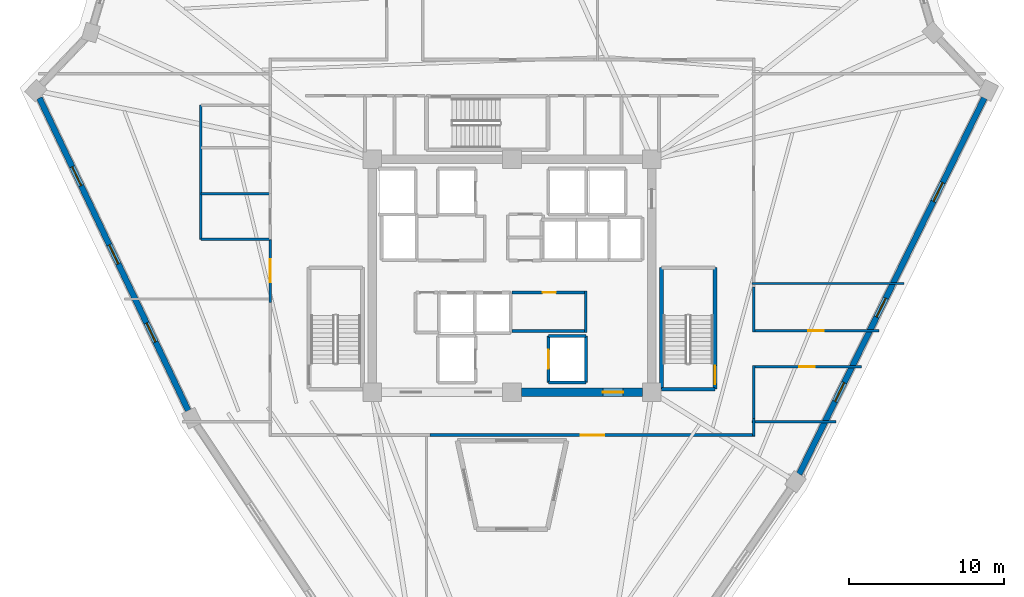
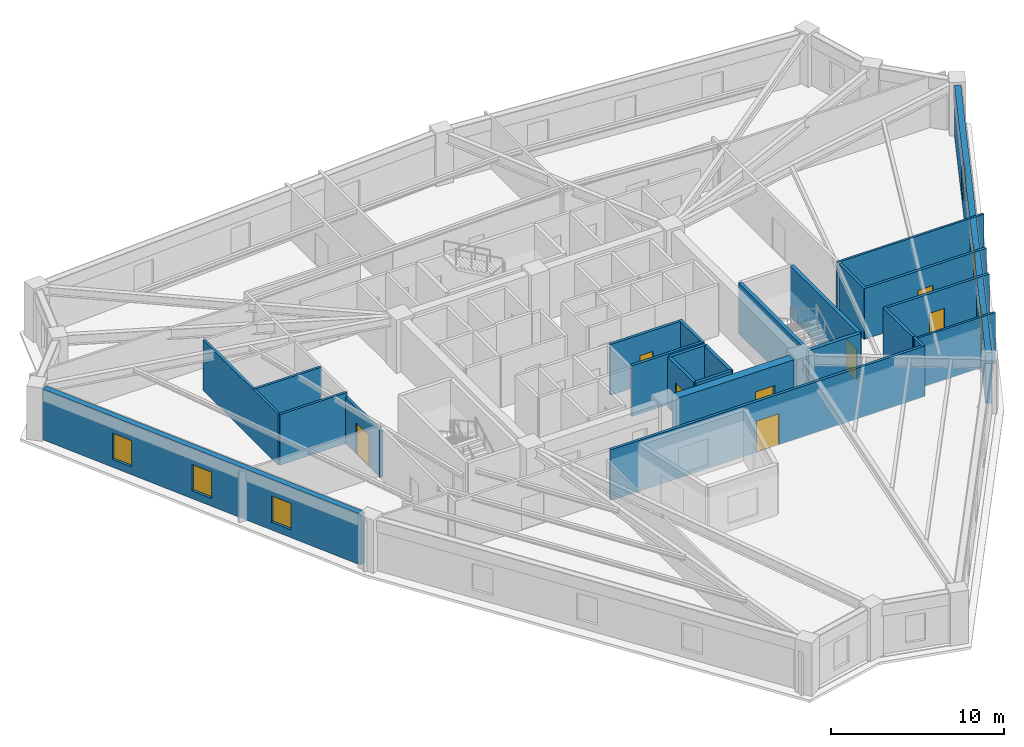
# One storey, part 4 of 10: 25 walls, 8 doors, 6 windows, 14 openings.
"""IFC4 building model written with IfcOpenShell, lengths in metres."""

from ifc_helpers import new_model, si_unit, direction, frame, frame_2d, origin, place, context, subcontext, project, spatial, rectangle, extrude, source, transform, mapped, material, layer, layer_set, type_object, element, fill, save


model = new_model("IFC4")

# Units and contexts
model_context = context("Model", 3, precision=1e-05, world=origin(), true_north=direction((0.0, 1.0)))
body_context = subcontext(model_context, "Body", "Model", "MODEL_VIEW")
ifc_project = project(units=[si_unit("LENGTHUNIT", "METRE"), si_unit("AREAUNIT", "SQUARE_METRE"), si_unit("VOLUMEUNIT", "CUBIC_METRE"), si_unit("PLANEANGLEUNIT", "RADIAN"), si_unit("MASSUNIT", "GRAM", prefix="KILO")], contexts=[model_context])

# Site, building, storey
site_placement = place(None, origin())
site = spatial("IfcSite", under=ifc_project, at=site_placement, CompositionType="ELEMENT")
building_placement = place(site_placement, origin())
building = spatial("IfcBuilding", under=site, at=building_placement, Name="Liaohun Quay Tower", CompositionType="ELEMENT")
storey_placement = place(building_placement, frame((0.0, 0.0, 286.5)))
storey = spatial("IfcBuildingStorey", under=building, at=storey_placement, Name="L74", CompositionType="ELEMENT", Elevation=286.5)

# Wall, opening, door
ifc_material_1 = material(Name="Concrete C50", Category="concrete")
ifc_layer_1 = layer(ifc_material_1, 0.550048828125, Name="Concrete C50", Category="concrete")
ifc_layer_set_1 = layer_set([ifc_layer_1], Name="Concrete C50")
wall_type_1 = type_object("IfcWallType", Name="WAL-COR-Z4", PredefinedType="SHEAR", material=ifc_layer_set_1)
wall_1_placement = place(storey_placement, frame((68.39990234375, 46.5, 0.0), z_axis=(0.0, 0.0, 1.0), x_axis=(-1.0, 0.0, 0.0)))
wall_1 = element("IfcWall", 1, at=wall_1_placement, inside=storey, type_object=wall_type_1, Name="L74 Central Core Shear Wall S-E", PredefinedType="SHEAR", context=body_context, shape_type="SweptSolid", body=[
    extrude(rectangle(XDim=7.7998046875, YDim=0.550048828125, at=frame_2d((3.89990234375, 0.0))), origin(), (0.0, 0.0, 1.0), 3.570068359375),
])
shared_shape_1 = source(origin(), body_context, "Body", "SweptSolid", [
    extrude(rectangle(XDim=1.300048828125, YDim=2.199951171875, at=frame_2d((0.64990234375, 1.10009765625))), frame((0.0, 0.284912109375, 0.0), z_axis=(0.0, -1.0, 0.0), x_axis=(1.0, 0.0, 0.0)), (0.0, 0.0, 1.0), 0.570068359375),
])
opening_1_placement = place(wall_1_placement, frame((1.25, 0.0, 0.0)))
opening_1 = element("IfcOpeningElement", 2, at=opening_1_placement, cuts=wall_1, Name="Opening FD1", PredefinedType="OPENING", context=body_context, shape_type="MappedRepresentation", body=[
    mapped(shared_shape_1, transform((0.0, 0.0, 0.0), x_axis=(1.0, 0.0, 0.0), y_axis=(0.0, 1.0, 0.0), z_axis=(0.0, 0.0, 1.0), scale=1.0)),
])
ifc_material_2 = material(Name="Galvanised steel smokeproof fire door", Category="steel")
door_type_1 = type_object("IfcDoorType", Name="DOR-FFL-1300", OperationType="NOTDEFINED", PredefinedType="DOOR", material=ifc_material_2)
shared_shape_2 = source(origin(), body_context, "Body", "SweptSolid", [
    extrude(rectangle(XDim=1.300048828125, YDim=2.199951171875, at=frame_2d((0.64990234375, 1.10009765625))), frame((0.0, 0.02490234375, 0.0), z_axis=(0.0, -1.0, 0.0), x_axis=(1.0, 0.0, 0.0)), (0.0, 0.0, 1.0), 0.050048828125),
])
door_1_placement = place(opening_1_placement, origin())
door_1 = element("IfcDoor", 3, at=door_1_placement, inside=storey, type_object=door_type_1, Name="L74 East Core Lift Lobby Smokeproof Door", OperationType="SINGLE_SWING_LEFT", OverallHeight=2.199951171875, OverallWidth=1.300048828125, PredefinedType="DOOR", context=body_context, shape_type="MappedRepresentation", body=[
    mapped(shared_shape_2, transform((0.0, 0.0, 0.0), x_axis=(1.0, 0.0, 0.0), y_axis=(0.0, 1.0, 0.0), z_axis=(0.0, 0.0, 1.0), scale=1.0)),
])
fill(opening_1, door_1)

# Wall, openings, windows
ifc_material_3 = material(Name="Precast concrete C50 insulated sandwich", Category="concrete")
ifc_layer_2 = layer(ifc_material_3, 0.3798828125, Name="Precast concrete C50 insulated sandwich", Category="concrete")
ifc_layer_set_2 = layer_set([ifc_layer_2], Name="Precast concrete C50 insulated sandwich")
wall_type_2 = type_object("IfcWallType", Name="WAL-EXT-Z34", PredefinedType="SOLIDWALL", material=ifc_layer_set_2)
wall_2_placement = place(storey_placement, frame((78.47998046875, 41.22607421875, 0.0), z_axis=(0.0, 0.0, 1.0), x_axis=(0.441646832519, 0.89718898529, 0.0)))
wall_2 = element("IfcWall", 4, at=wall_2_placement, inside=storey, type_object=wall_type_2, Name="L74 Brutalist Precast Pier Wall 03", PredefinedType="SOLIDWALL", context=body_context, shape_type="SweptSolid", body=[
    extrude(rectangle(XDim=26.987548828125, YDim=0.3798828125, at=frame_2d((13.49365234375, 0.0))), origin(), (0.0, 0.0, 1.0), 3.570068359375),
])
shared_shape_3 = source(origin(), body_context, "Body", "SweptSolid", [
    extrude(rectangle(XDim=1.35009765625, YDim=1.85009765625, at=frame_2d((0.675048828125, 0.925048828125))), frame((0.0, 0.199951171875, 0.0), z_axis=(0.0, -1.0, 0.0), x_axis=(1.0, 0.0, 0.0)), (0.0, 0.0, 1.0), 0.39990234375),
])
opening_2_placement = place(wall_2_placement, frame((5.221923828125, 0.0, 0.550048828125)))
opening_2 = element("IfcOpeningElement", 5, at=opening_2_placement, cuts=wall_2, Name="Opening W04", PredefinedType="OPENING", context=body_context, shape_type="MappedRepresentation", body=[
    mapped(shared_shape_3, transform((0.0, 0.0, 0.0), x_axis=(1.0, 0.0, 0.0), y_axis=(0.0, 1.0, 0.0), z_axis=(0.0, 0.0, 1.0), scale=1.0)),
])
opening_3_placement = place(wall_2_placement, frame((11.26904296875, 0.0, 0.550048828125)))
opening_3 = element("IfcOpeningElement", 6, at=opening_3_placement, cuts=wall_2, Name="Opening W04", PredefinedType="OPENING", context=body_context, shape_type="MappedRepresentation", body=[
    mapped(shared_shape_3, transform((0.0, 0.0, 0.0), x_axis=(1.0, 0.0, 0.0), y_axis=(0.0, 1.0, 0.0), z_axis=(0.0, 0.0, 1.0), scale=1.0)),
])
opening_4_placement = place(wall_2_placement, frame((19.56591796875, 0.0, 0.550048828125)))
opening_4 = element("IfcOpeningElement", 7, at=opening_4_placement, cuts=wall_2, Name="Opening W04", PredefinedType="OPENING", context=body_context, shape_type="MappedRepresentation", body=[
    mapped(shared_shape_3, transform((0.0, 0.0, 0.0), x_axis=(1.0, 0.0, 0.0), y_axis=(0.0, 1.0, 0.0), z_axis=(0.0, 0.0, 1.0), scale=1.0)),
])
ifc_material_4 = material(Name="Triple Low-E argon glazing in thermally broken aluminium", Category="aluminium")
window_type = type_object("IfcWindowType", Name="WIN-PUN-Z4", PartitioningType="SINGLE_PANEL", PredefinedType="WINDOW", material=ifc_material_4)
shared_shape_4 = source(origin(), body_context, "Body", "SweptSolid", [
    extrude(rectangle(XDim=1.35009765625, YDim=1.85009765625, at=frame_2d((0.675048828125, 0.925048828125))), frame((0.0, 0.030029296875, 0.0), z_axis=(0.0, -1.0, 0.0), x_axis=(1.0, 0.0, 0.0)), (0.0, 0.0, 1.0), 0.06005859375),
])
window_1_placement = place(opening_2_placement, origin())
window_1 = element("IfcWindow", 8, at=window_1_placement, inside=storey, type_object=window_type, Name="L74 Recessed Cold-Climate Punched Window 03-1", OverallHeight=1.85009765625, OverallWidth=1.35009765625, PartitioningType="SINGLE_PANEL", PredefinedType="WINDOW", context=body_context, shape_type="MappedRepresentation", body=[
    mapped(shared_shape_4, transform((0.0, 0.0, 0.0), x_axis=(1.0, 0.0, 0.0), y_axis=(0.0, 1.0, 0.0), z_axis=(0.0, 0.0, 1.0), scale=1.0)),
])
fill(opening_2, window_1)
window_2_placement = place(opening_3_placement, origin())
window_2 = element("IfcWindow", 9, at=window_2_placement, inside=storey, type_object=window_type, Name="L74 Recessed Cold-Climate Punched Window 03-2", OverallHeight=1.85009765625, OverallWidth=1.35009765625, PartitioningType="SINGLE_PANEL", PredefinedType="WINDOW", context=body_context, shape_type="MappedRepresentation", body=[
    mapped(shared_shape_4, transform((0.0, 0.0, 0.0), x_axis=(1.0, 0.0, 0.0), y_axis=(0.0, 1.0, 0.0), z_axis=(0.0, 0.0, 1.0), scale=1.0)),
])
fill(opening_3, window_2)
window_3_placement = place(opening_4_placement, origin())
window_3 = element("IfcWindow", 10, at=window_3_placement, inside=storey, type_object=window_type, Name="L74 Recessed Cold-Climate Punched Window 03-3", OverallHeight=1.85009765625, OverallWidth=1.35009765625, PartitioningType="SINGLE_PANEL", PredefinedType="WINDOW", context=body_context, shape_type="MappedRepresentation", body=[
    mapped(shared_shape_4, transform((0.0, 0.0, 0.0), x_axis=(1.0, 0.0, 0.0), y_axis=(0.0, 1.0, 0.0), z_axis=(0.0, 0.0, 1.0), scale=1.0)),
])
fill(opening_4, window_3)

wall_3_placement = place(storey_placement, frame((29.590087890625, 65.428955078125, 0.0), z_axis=(0.0, 0.0, 1.0), x_axis=(0.429890605998, -0.902880981567, 0.0)))
wall_3 = element("IfcWall", 11, at=wall_3_placement, inside=storey, type_object=wall_type_2, Name="L74 Brutalist Precast Pier Wall 10", PredefinedType="SOLIDWALL", context=body_context, shape_type="SweptSolid", body=[
    extrude(rectangle(XDim=22.27294921875, YDim=0.3798828125, at=frame_2d((11.136474609375, 0.0))), origin(), (0.0, 0.0, 1.0), 3.570068359375),
])
opening_5_placement = place(wall_3_placement, frame((4.89306640625, 0.0, 0.550048828125)))
opening_5 = element("IfcOpeningElement", 12, at=opening_5_placement, cuts=wall_3, Name="Opening W04", PredefinedType="OPENING", context=body_context, shape_type="MappedRepresentation", body=[
    mapped(shared_shape_3, transform((0.0, 0.0, 0.0), x_axis=(1.0, 0.0, 0.0), y_axis=(0.0, 1.0, 0.0), z_axis=(0.0, 0.0, 1.0), scale=1.0)),
])
opening_6_placement = place(wall_3_placement, frame((10.4619140625, 0.0, 0.550048828125)))
opening_6 = element("IfcOpeningElement", 13, at=opening_6_placement, cuts=wall_3, Name="Opening W04", PredefinedType="OPENING", context=body_context, shape_type="MappedRepresentation", body=[
    mapped(shared_shape_3, transform((0.0, 0.0, 0.0), x_axis=(1.0, 0.0, 0.0), y_axis=(0.0, 1.0, 0.0), z_axis=(0.0, 0.0, 1.0), scale=1.0)),
])
opening_7_placement = place(wall_3_placement, frame((16.030029296875, 0.0, 0.550048828125)))
opening_7 = element("IfcOpeningElement", 14, at=opening_7_placement, cuts=wall_3, Name="Opening W04", PredefinedType="OPENING", context=body_context, shape_type="MappedRepresentation", body=[
    mapped(shared_shape_3, transform((0.0, 0.0, 0.0), x_axis=(1.0, 0.0, 0.0), y_axis=(0.0, 1.0, 0.0), z_axis=(0.0, 0.0, 1.0), scale=1.0)),
])
window_4_placement = place(opening_5_placement, origin())
window_4 = element("IfcWindow", 15, at=window_4_placement, inside=storey, type_object=window_type, Name="L74 Recessed Cold-Climate Punched Window 10-1", OverallHeight=1.85009765625, OverallWidth=1.35009765625, PartitioningType="SINGLE_PANEL", PredefinedType="WINDOW", context=body_context, shape_type="MappedRepresentation", body=[
    mapped(shared_shape_4, transform((0.0, 0.0, 0.0), x_axis=(1.0, 0.0, 0.0), y_axis=(0.0, 1.0, 0.0), z_axis=(0.0, 0.0, 1.0), scale=1.0)),
])
fill(opening_5, window_4)
window_5_placement = place(opening_6_placement, origin())
window_5 = element("IfcWindow", 16, at=window_5_placement, inside=storey, type_object=window_type, Name="L74 Recessed Cold-Climate Punched Window 10-2", OverallHeight=1.85009765625, OverallWidth=1.35009765625, PartitioningType="SINGLE_PANEL", PredefinedType="WINDOW", context=body_context, shape_type="MappedRepresentation", body=[
    mapped(shared_shape_4, transform((0.0, 0.0, 0.0), x_axis=(1.0, 0.0, 0.0), y_axis=(0.0, 1.0, 0.0), z_axis=(0.0, 0.0, 1.0), scale=1.0)),
])
fill(opening_6, window_5)
window_6_placement = place(opening_7_placement, origin())
window_6 = element("IfcWindow", 17, at=window_6_placement, inside=storey, type_object=window_type, Name="L74 Recessed Cold-Climate Punched Window 10-3", OverallHeight=1.85009765625, OverallWidth=1.35009765625, PartitioningType="SINGLE_PANEL", PredefinedType="WINDOW", context=body_context, shape_type="MappedRepresentation", body=[
    mapped(shared_shape_4, transform((0.0, 0.0, 0.0), x_axis=(1.0, 0.0, 0.0), y_axis=(0.0, 1.0, 0.0), z_axis=(0.0, 0.0, 1.0), scale=1.0)),
])
fill(opening_7, window_6)

# Wall, opening, door
ifc_material_5 = material(Name="Autoclaved aerated concrete blockwork", Category="masonry")
ifc_layer_3 = layer(ifc_material_5, 0.179931640625, Name="Autoclaved aerated concrete blockwork", Category="masonry")
ifc_layer_set_3 = layer_set([ifc_layer_3], Name="Autoclaved aerated concrete blockwork")
wall_type_3 = type_object("IfcWallType", Name="WAL-PRT-COR", PredefinedType="PARTITIONING", material=ifc_layer_set_3)
wall_4_placement = place(storey_placement, frame((60.0, 52.919921875, 0.0), z_axis=(0.0, 0.0, 1.0), x_axis=(1.0, 0.0, 0.0)))
wall_4 = element("IfcWall", 18, at=wall_4_placement, inside=storey, type_object=wall_type_3, Name="L74 Interior Partition Wall 001", PredefinedType="PARTITIONING", context=body_context, shape_type="SweptSolid", body=[
    extrude(rectangle(XDim=4.659912109375, YDim=0.179931640625, at=frame_2d((2.330078125, 0.0))), origin(), (0.0, 0.0, 1.0), 3.570068359375),
])
shared_shape_5 = source(origin(), body_context, "Body", "SweptSolid", [
    extrude(rectangle(XDim=0.85009765625, YDim=2.10009765625, at=frame_2d((0.425048828125, 1.050048828125))), frame((0.0, 0.099853515625, 0.0), z_axis=(0.0, -1.0, 0.0), x_axis=(1.0, 0.0, 0.0)), (0.0, 0.0, 1.0), 0.199951171875),
])
opening_8_placement = place(wall_4_placement, frame((1.97509765625, 0.0, 0.0)))
opening_8 = element("IfcOpeningElement", 19, at=opening_8_placement, cuts=wall_4, Name="Opening AD1", PredefinedType="OPENING", context=body_context, shape_type="MappedRepresentation", body=[
    mapped(shared_shape_5, transform((0.0, 0.0, 0.0), x_axis=(1.0, 0.0, 0.0), y_axis=(0.0, 1.0, 0.0), z_axis=(0.0, 0.0, 1.0), scale=1.0)),
])
ifc_material_6 = material(Name="Steel riser inspection fire door", Category="steel")
door_type_2 = type_object("IfcDoorType", Name="DOR-SHF-850", OperationType="NOTDEFINED", PredefinedType="DOOR", material=ifc_material_6)
shared_shape_6 = source(origin(), body_context, "Body", "SweptSolid", [
    extrude(rectangle(XDim=0.85009765625, YDim=2.10009765625, at=frame_2d((0.425048828125, 1.050048828125))), frame((0.0, 0.02490234375, 0.0), z_axis=(0.0, -1.0, 0.0), x_axis=(1.0, 0.0, 0.0)), (0.0, 0.0, 1.0), 0.050048828125),
])
door_2_placement = place(opening_8_placement, origin())
door_2 = element("IfcDoor", 20, at=door_2_placement, inside=storey, type_object=door_type_2, Name="L74 Core High-Zone BMS and Switch Room Door", OperationType="SINGLE_SWING_RIGHT", OverallHeight=2.10009765625, OverallWidth=0.85009765625, PredefinedType="DOOR", context=body_context, shape_type="MappedRepresentation", body=[
    mapped(shared_shape_6, transform((0.0, 0.0, 0.0), x_axis=(1.0, 0.0, 0.0), y_axis=(0.0, 1.0, 0.0), z_axis=(0.0, 0.0, 1.0), scale=1.0)),
])
fill(opening_8, door_2)

wall_5_placement = place(storey_placement, frame((44.43994140625, 52.284912109375, 0.0), z_axis=(0.0, 0.0, 1.0), x_axis=(0.0, 1.0, 0.0)))
wall_5 = element("IfcWall", 21, at=wall_5_placement, inside=storey, type_object=wall_type_3, Name="L74 Interior Partition Wall 020", PredefinedType="PARTITIONING", context=body_context, shape_type="SweptSolid", body=[
    extrude(rectangle(XDim=4.05517578125, YDim=0.179931640625, at=frame_2d((2.027587890625, 0.0))), origin(), (0.0, 0.0, 1.0), 3.260986328125),
])
shared_shape_7 = source(origin(), body_context, "Body", "SweptSolid", [
    extrude(rectangle(XDim=1.5, YDim=2.199951171875, at=frame_2d((0.75, 1.10009765625))), frame((0.0, 0.099853515625, 0.0), z_axis=(0.0, -1.0, 0.0), x_axis=(1.0, 0.0, 0.0)), (0.0, 0.0, 1.0), 0.199951171875),
])
opening_9_placement = place(wall_5_placement, frame((1.278076171875, 0.0, 0.0)))
opening_9 = element("IfcOpeningElement", 22, at=opening_9_placement, cuts=wall_5, Name="Opening OD2", PredefinedType="OPENING", context=body_context, shape_type="MappedRepresentation", body=[
    mapped(shared_shape_7, transform((0.0, 0.0, 0.0), x_axis=(1.0, 0.0, 0.0), y_axis=(0.0, 1.0, 0.0), z_axis=(0.0, 0.0, 1.0), scale=1.0)),
])
ifc_material_7 = material(Name="Acoustic oak veneer double door")
door_type_3 = type_object("IfcDoorType", Name="DOR-OFF-1500", OperationType="DOUBLE_DOOR_SINGLE_SWING", PredefinedType="DOOR", material=ifc_material_7)
shared_shape_8 = source(origin(), body_context, "Body", "SweptSolid", [
    extrude(rectangle(XDim=1.5, YDim=2.199951171875, at=frame_2d((0.75, 1.10009765625))), frame((0.0, 0.02490234375, 0.0), z_axis=(0.0, -1.0, 0.0), x_axis=(1.0, 0.0, 0.0)), (0.0, 0.0, 1.0), 0.050048828125),
])
door_3_placement = place(opening_9_placement, origin())
door_3 = element("IfcDoor", 23, at=door_3_placement, inside=storey, type_object=door_type_3, Name="L74 Occupational Wellness Clinic 05 Door", OperationType="DOUBLE_DOOR_SINGLE_SWING", OverallHeight=2.199951171875, OverallWidth=1.5, PredefinedType="DOOR", context=body_context, shape_type="MappedRepresentation", body=[
    mapped(shared_shape_8, transform((0.0, 0.0, 0.0), x_axis=(1.0, 0.0, 0.0), y_axis=(0.0, 1.0, 0.0), z_axis=(0.0, 0.0, 1.0), scale=1.0)),
])
fill(opening_9, door_3)

wall_6_placement = place(storey_placement, frame((75.6298828125, 43.739990234375, 0.0), z_axis=(0.0, 0.0, 1.0), x_axis=(-1.0, 0.0, 0.0)))
wall_6 = element("IfcWall", 24, at=wall_6_placement, inside=storey, type_object=wall_type_3, Name="L74 Interior Partition Wall 023", PredefinedType="PARTITIONING", context=body_context, shape_type="SweptSolid", body=[
    extrude(rectangle(XDim=20.914794921875, YDim=0.179931640625, at=frame_2d((10.45751953125, 0.0))), origin(), (0.0, 0.0, 1.0), 3.570068359375),
])
opening_10_placement = place(wall_6_placement, frame((9.70703125, 0.0, 0.0)))
opening_10 = element("IfcOpeningElement", 25, at=opening_10_placement, cuts=wall_6, Name="Opening OD2", PredefinedType="OPENING", context=body_context, shape_type="MappedRepresentation", body=[
    mapped(shared_shape_7, transform((0.0, 0.0, 0.0), x_axis=(1.0, 0.0, 0.0), y_axis=(0.0, 1.0, 0.0), z_axis=(0.0, 0.0, 1.0), scale=1.0)),
])
door_4_placement = place(opening_10_placement, origin())
door_4 = element("IfcDoor", 26, at=door_4_placement, inside=storey, type_object=door_type_3, Name="L74 Occupational Wellness Clinic 08 Door", OperationType="DOUBLE_DOOR_SINGLE_SWING", OverallHeight=2.199951171875, OverallWidth=1.5, PredefinedType="DOOR", context=body_context, shape_type="MappedRepresentation", body=[
    mapped(shared_shape_8, transform((0.0, 0.0, 0.0), x_axis=(1.0, 0.0, 0.0), y_axis=(0.0, 1.0, 0.0), z_axis=(0.0, 0.0, 1.0), scale=1.0)),
])
fill(opening_10, door_4)

wall_7_placement = place(storey_placement, frame((82.47705078125, 48.139892578125, 0.0), z_axis=(0.0, 0.0, 1.0), x_axis=(-1.0, 0.0, 0.0)))
wall_7 = element("IfcWall", 27, at=wall_7_placement, inside=storey, type_object=wall_type_3, Name="L74 Interior Partition Wall 024", PredefinedType="PARTITIONING", context=body_context, shape_type="SweptSolid", body=[
    extrude(rectangle(XDim=6.987060546875, YDim=0.179931640625, at=frame_2d((3.49365234375, 0.0))), origin(), (0.0, 0.0, 1.0), 3.570068359375),
])
shared_shape_9 = source(origin(), body_context, "Body", "SweptSolid", [
    extrude(rectangle(XDim=1.0, YDim=2.199951171875, at=frame_2d((0.5, 1.10009765625))), frame((0.0, 0.099853515625, 0.0), z_axis=(0.0, -1.0, 0.0), x_axis=(1.0, 0.0, 0.0)), (0.0, 0.0, 1.0), 0.199951171875),
])
opening_11_placement = place(wall_7_placement, frame((2.993896484375, 0.0, 0.0)))
opening_11 = element("IfcOpeningElement", 28, at=opening_11_placement, cuts=wall_7, Name="Opening OD1", PredefinedType="OPENING", context=body_context, shape_type="MappedRepresentation", body=[
    mapped(shared_shape_9, transform((0.0, 0.0, 0.0), x_axis=(1.0, 0.0, 0.0), y_axis=(0.0, 1.0, 0.0), z_axis=(0.0, 0.0, 1.0), scale=1.0)),
])
ifc_material_8 = material(Name="Solid-core oak veneer timber leaf in steel frame", Category="steel")
door_type_4 = type_object("IfcDoorType", Name="DOR-OFF-1000", OperationType="NOTDEFINED", PredefinedType="DOOR", material=ifc_material_8)
shared_shape_10 = source(origin(), body_context, "Body", "SweptSolid", [
    extrude(rectangle(XDim=1.0, YDim=2.199951171875, at=frame_2d((0.5, 1.10009765625))), frame((0.0, 0.02490234375, 0.0), z_axis=(0.0, -1.0, 0.0), x_axis=(1.0, 0.0, 0.0)), (0.0, 0.0, 1.0), 0.050048828125),
])
door_5_placement = place(opening_11_placement, origin())
door_5 = element("IfcDoor", 29, at=door_5_placement, inside=storey, type_object=door_type_4, Name="L74 Records Archive Store 09 Door", OperationType="SINGLE_SWING_LEFT", OverallHeight=2.199951171875, OverallWidth=1.0, PredefinedType="DOOR", context=body_context, shape_type="MappedRepresentation", body=[
    mapped(shared_shape_10, transform((0.0, 0.0, 0.0), x_axis=(1.0, 0.0, 0.0), y_axis=(0.0, 1.0, 0.0), z_axis=(0.0, 0.0, 1.0), scale=1.0)),
])
fill(opening_11, door_5)

wall_8_placement = place(storey_placement, frame((75.489990234375, 50.4599609375, 0.0), z_axis=(0.0, 0.0, 1.0), x_axis=(1.0, 0.0, 0.0)))
wall_8 = element("IfcWall", 30, at=wall_8_placement, inside=storey, type_object=wall_type_3, Name="L74 Interior Partition Wall 025", PredefinedType="PARTITIONING", context=body_context, shape_type="SweptSolid", body=[
    extrude(rectangle(XDim=8.12890625, YDim=0.179931640625, at=frame_2d((4.064453125, 0.0))), origin(), (0.0, 0.0, 1.0), 3.570068359375),
])
opening_12_placement = place(wall_8_placement, frame((3.56494140625, 0.0, 0.0)))
opening_12 = element("IfcOpeningElement", 31, at=opening_12_placement, cuts=wall_8, Name="Opening OD1", PredefinedType="OPENING", context=body_context, shape_type="MappedRepresentation", body=[
    mapped(shared_shape_9, transform((0.0, 0.0, 0.0), x_axis=(1.0, 0.0, 0.0), y_axis=(0.0, 1.0, 0.0), z_axis=(0.0, 0.0, 1.0), scale=1.0)),
])
door_6_placement = place(opening_12_placement, origin())
door_6 = element("IfcDoor", 32, at=door_6_placement, inside=storey, type_object=door_type_4, Name="L74 Open-Plan Office Workplace 10 Door", OperationType="SINGLE_SWING_RIGHT", OverallHeight=2.199951171875, OverallWidth=1.0, PredefinedType="DOOR", context=body_context, shape_type="MappedRepresentation", body=[
    mapped(shared_shape_10, transform((0.0, 0.0, 0.0), x_axis=(1.0, 0.0, 0.0), y_axis=(0.0, 1.0, 0.0), z_axis=(0.0, 0.0, 1.0), scale=1.0)),
])
fill(opening_12, door_6)

# Walls
wall_9_placement = place(storey_placement, frame((75.56005859375, 44.81494140625, 0.0), z_axis=(0.0, 0.0, 1.0), x_axis=(0.0, -1.0, 0.0)))
element("IfcWall", 33, at=wall_9_placement, inside=storey, type_object=wall_type_3, Name="L74 Interior Partition Wall 047", PredefinedType="PARTITIONING", context=body_context, shape_type="SweptSolid", body=[
    extrude(rectangle(XDim=1.14501953125, YDim=0.179931640625, at=frame_2d((0.572509765625, 0.0))), origin(), (0.0, 0.0, 1.0), 3.570068359375),
])
wall_10_placement = place(storey_placement, frame((75.56005859375, 48.2099609375, 0.0), z_axis=(0.0, 0.0, 1.0), x_axis=(0.0, -1.0, 0.0)))
element("IfcWall", 34, at=wall_10_placement, inside=storey, type_object=wall_type_3, Name="L74 Interior Partition Wall 048", PredefinedType="PARTITIONING", context=body_context, shape_type="SweptSolid", body=[
    extrude(rectangle(XDim=3.39501953125, YDim=0.179931640625, at=frame_2d((1.697509765625, 0.0))), origin(), (0.0, 0.0, 1.0), 3.570068359375),
])
wall_11_placement = place(storey_placement, frame((75.56005859375, 53.284912109375, 0.0), z_axis=(0.0, 0.0, 1.0), x_axis=(0.0, -1.0, 0.0)))
element("IfcWall", 35, at=wall_11_placement, inside=storey, type_object=wall_type_3, Name="L74 Interior Partition Wall 049", PredefinedType="PARTITIONING", context=body_context, shape_type="SweptSolid", body=[
    extrude(rectangle(XDim=2.89501953125, YDim=0.179931640625, at=frame_2d((1.447509765625, 0.0))), origin(), (0.0, 0.0, 1.0), 3.570068359375),
])
wall_12_placement = place(storey_placement, frame((64.75, 50.360107421875, 0.0), z_axis=(0.0, 0.0, 1.0), x_axis=(0.0, 1.0, 0.0)))
element("IfcWall", 36, at=wall_12_placement, inside=storey, type_object=wall_type_3, Name="L74 Interior Partition Wall 058", PredefinedType="PARTITIONING", context=body_context, shape_type="SweptSolid", body=[
    extrude(rectangle(XDim=2.64990234375, YDim=0.179931640625, at=frame_2d((1.324951171875, 0.0))), origin(), (0.0, 0.0, 1.0), 3.570068359375),
])
wall_13_placement = place(storey_placement, frame((60.0, 50.449951171875, 0.0), z_axis=(0.0, 0.0, 1.0), x_axis=(1.0, 0.0, 0.0)))
element("IfcWall", 37, at=wall_13_placement, inside=storey, type_object=wall_type_3, Name="L74 Interior Partition Wall 059", PredefinedType="PARTITIONING", context=body_context, shape_type="SweptSolid", body=[
    extrude(rectangle(XDim=4.659912109375, YDim=0.179931640625, at=frame_2d((2.330078125, 0.0))), origin(), (0.0, 0.0, 1.0), 3.570068359375),
])
ifc_material_9 = material(Name="Gypsum board on twin steel studs", Category="steel")
ifc_layer_4 = layer(ifc_material_9, 0.139892578125, Name="Gypsum board on twin steel studs", Category="steel")
ifc_layer_set_4 = layer_set([ifc_layer_4], Name="Gypsum board on twin steel studs")
wall_type_4 = type_object("IfcWallType", Name="WAL-PRT-OFF", PredefinedType="PARTITIONING", material=ifc_layer_set_4)
wall_14_placement = place(storey_placement, frame((75.4599609375, 44.60009765625, 0.0), z_axis=(0.0, 0.0, 1.0), x_axis=(1.0, 0.0, 0.0)))
element("IfcWall", 38, at=wall_14_placement, inside=storey, type_object=wall_type_4, Name="L74 Interior Partition Wall 053", PredefinedType="PARTITIONING", context=body_context, shape_type="SweptSolid", body=[
    extrude(rectangle(XDim=5.383056640625, YDim=0.139892578125, at=frame_2d((2.69140625, 0.0))), origin(), (0.0, 0.0, 1.0), 3.570068359375),
])
wall_15_placement = place(storey_placement, frame((75.4599609375, 53.5, 0.0), z_axis=(0.0, 0.0, 1.0), x_axis=(1.0, 0.0, 0.0)))
element("IfcWall", 39, at=wall_15_placement, inside=storey, type_object=wall_type_4, Name="L74 Interior Partition Wall 054", PredefinedType="PARTITIONING", context=body_context, shape_type="SweptSolid", body=[
    extrude(rectangle(XDim=9.76416015625, YDim=0.139892578125, at=frame_2d((4.882080078125, 0.0))), origin(), (0.0, 0.0, 1.0), 3.570068359375),
])
ifc_material_10 = material(Name="Moisture-resistant masonry blockwork", Category="masonry")
ifc_layer_5 = layer(ifc_material_10, 0.159912109375, Name="Moisture-resistant masonry blockwork", Category="masonry")
ifc_layer_set_5 = layer_set([ifc_layer_5], Name="Moisture-resistant masonry blockwork")
wall_type_5 = type_object("IfcWallType", Name="WAL-PRT-WET", PredefinedType="PARTITIONING", material=ifc_layer_set_5)
wall_16_placement = place(storey_placement, frame((39.97998046875, 56.340087890625, 0.0), z_axis=(0.0, 0.0, 1.0), x_axis=(0.0, 1.0, 0.0)))
element("IfcWall", 40, at=wall_16_placement, inside=storey, type_object=wall_type_5, Name="L74 Interior Partition Wall 031", PredefinedType="PARTITIONING", context=body_context, shape_type="SweptSolid", body=[
    extrude(rectangle(XDim=8.639892578125, YDim=0.159912109375, at=frame_2d((4.31982421875, 0.0))), origin(), (0.0, 0.0, 1.0), 3.570068359375),
])
for number, where, z_axis, x_axis, name in (
    (41, (39.97998046875, 56.340087890625, 0.0), (0.0, 0.0, 1.0), (1.0, 0.0, 0.0), "L74 Interior Partition Wall 032"),
    (42, (39.97998046875, 59.280029296875, 0.0), (0.0, 0.0, 1.0), (1.0, 0.0, 0.0), "L74 Interior Partition Wall 033"),
):
    element("IfcWall", number, at=place(storey_placement, frame(where, z_axis=z_axis, x_axis=x_axis)), inside=storey, type_object=wall_type_5, Name=name, PredefinedType="PARTITIONING", context=body_context, shape_type="SweptSolid", body=[
        extrude(rectangle(XDim=4.4599609375, YDim=0.159912109375, at=frame_2d((2.22998046875, 0.0))), origin(), (0.0, 0.0, 1.0), 3.570068359375),
    ])
ifc_layer_6 = layer(ifc_material_1, 0.239990234375, Name="Concrete C50", Category="concrete")
ifc_layer_set_6 = layer_set([ifc_layer_6], Name="Concrete C50")
wall_type_6 = type_object("IfcWallType", Name="WAL-SHF-200", PredefinedType="SOLIDWALL", material=ifc_layer_set_6)
wall_17_placement = place(storey_placement, frame((69.6201171875, 46.699951171875, 0.0), z_axis=(0.0, 0.0, 1.0), x_axis=(1.0, 0.0, 0.0)))
element("IfcWall", 43, at=wall_17_placement, inside=storey, type_object=wall_type_6, Name="L74 Stairwell ST-2 Structural Core Wall S", PredefinedType="SOLIDWALL", context=body_context, shape_type="SweptSolid", body=[
    extrude(rectangle(XDim=3.43994140625, YDim=0.239990234375, at=frame_2d((1.719970703125, 0.0))), origin(), (0.0, 0.0, 1.0), 3.570068359375),
])

# Wall, opening, door
wall_18_placement = place(storey_placement, frame((73.06005859375, 46.699951171875, 0.0), z_axis=(0.0, 0.0, 1.0), x_axis=(0.0, 1.0, 0.0)))
wall_18 = element("IfcWall", 44, at=wall_18_placement, inside=storey, type_object=wall_type_6, Name="L74 Stairwell ST-2 Structural Core Wall E", PredefinedType="SOLIDWALL", context=body_context, shape_type="SweptSolid", body=[
    extrude(rectangle(XDim=7.820068359375, YDim=0.239990234375, at=frame_2d((3.91015625, 0.0))), origin(), (0.0, 0.0, 1.0), 3.570068359375),
])
shared_shape_11 = source(origin(), body_context, "Body", "SweptSolid", [
    extrude(rectangle(XDim=1.199951171875, YDim=2.199951171875, at=frame_2d((0.60009765625, 1.10009765625))), frame((0.0, 0.1298828125, 0.0), z_axis=(0.0, -1.0, 0.0), x_axis=(1.0, 0.0, 0.0)), (0.0, 0.0, 1.0), 0.260009765625),
])
opening_13_placement = place(wall_18_placement, frame((0.320068359375, 0.0, 0.0)))
opening_13 = element("IfcOpeningElement", 45, at=opening_13_placement, cuts=wall_18, Name="Opening SD1", PredefinedType="OPENING", context=body_context, shape_type="MappedRepresentation", body=[
    mapped(shared_shape_11, transform((0.0, 0.0, 0.0), x_axis=(1.0, 0.0, 0.0), y_axis=(0.0, 1.0, 0.0), z_axis=(0.0, 0.0, 1.0), scale=1.0)),
])
ifc_material_11 = material(Name="Galvanised steel fire door", Category="steel")
door_type_5 = type_object("IfcDoorType", Name="DOR-STR-1200", OperationType="NOTDEFINED", PredefinedType="DOOR", material=ifc_material_11)
shared_shape_12 = source(origin(), body_context, "Body", "SweptSolid", [
    extrude(rectangle(XDim=1.199951171875, YDim=2.199951171875, at=frame_2d((0.60009765625, 1.10009765625))), frame((0.0, 0.02490234375, 0.0), z_axis=(0.0, -1.0, 0.0), x_axis=(1.0, 0.0, 0.0)), (0.0, 0.0, 1.0), 0.050048828125),
])
door_7_placement = place(opening_13_placement, origin())
door_7 = element("IfcDoor", 46, at=door_7_placement, inside=storey, type_object=door_type_5, Name="L74 Protected Stair ST-2 Fire Door", OperationType="SINGLE_SWING_RIGHT", OverallHeight=2.199951171875, OverallWidth=1.199951171875, PredefinedType="DOOR", context=body_context, shape_type="MappedRepresentation", body=[
    mapped(shared_shape_12, transform((0.0, 0.0, 0.0), x_axis=(1.0, 0.0, 0.0), y_axis=(0.0, 1.0, 0.0), z_axis=(0.0, 0.0, 1.0), scale=1.0)),
])
fill(opening_13, door_7)

# Walls
wall_19_placement = place(storey_placement, frame((69.6201171875, 54.52001953125, 0.0), z_axis=(0.0, 0.0, 1.0), x_axis=(0.0, -1.0, 0.0)))
element("IfcWall", 47, at=wall_19_placement, inside=storey, type_object=wall_type_6, Name="L74 Stairwell ST-2 Structural Core Wall W", PredefinedType="SOLIDWALL", context=body_context, shape_type="SweptSolid", body=[
    extrude(rectangle(XDim=7.820068359375, YDim=0.239990234375, at=frame_2d((3.91015625, 0.0))), origin(), (0.0, 0.0, 1.0), 3.570068359375),
])
wall_20_placement = place(storey_placement, frame((62.35009765625, 47.1201171875, 0.0), z_axis=(0.0, 0.0, 1.0), x_axis=(1.0, 0.0, 0.0)))
element("IfcWall", 48, at=wall_20_placement, inside=storey, type_object=wall_type_6, Name="L74 Lift FF-02 Hoistway Wall S", PredefinedType="SOLIDWALL", context=body_context, shape_type="SweptSolid", body=[
    extrude(rectangle(XDim=2.39990234375, YDim=0.199951171875, at=frame_2d((1.199951171875, 0.0))), origin(), (0.0, 0.0, 1.0), 3.570068359375),
])
wall_21_placement = place(storey_placement, frame((64.75, 47.1201171875, 0.0), z_axis=(0.0, 0.0, 1.0), x_axis=(0.0, 1.0, 0.0)))
element("IfcWall", 49, at=wall_21_placement, inside=storey, type_object=wall_type_6, Name="L74 Lift FF-02 Hoistway Wall E", PredefinedType="SOLIDWALL", context=body_context, shape_type="SweptSolid", body=[
    extrude(rectangle(XDim=3.0, YDim=0.199951171875, at=frame_2d((1.5, 0.0))), origin(), (0.0, 0.0, 1.0), 3.570068359375),
])
wall_22_placement = place(storey_placement, frame((64.75, 50.1201171875, 0.0), z_axis=(0.0, 0.0, 1.0), x_axis=(-1.0, 0.0, 0.0)))
element("IfcWall", 50, at=wall_22_placement, inside=storey, type_object=wall_type_6, Name="L74 Lift FF-02 Hoistway Wall N", PredefinedType="SOLIDWALL", context=body_context, shape_type="SweptSolid", body=[
    extrude(rectangle(XDim=2.39990234375, YDim=0.199951171875, at=frame_2d((1.199951171875, 0.0))), origin(), (0.0, 0.0, 1.0), 3.570068359375),
])

# Wall, opening, door
wall_23_placement = place(storey_placement, frame((62.35009765625, 50.1201171875, 0.0), z_axis=(0.0, 0.0, 1.0), x_axis=(0.0, -1.0, 0.0)))
wall_23 = element("IfcWall", 51, at=wall_23_placement, inside=storey, type_object=wall_type_6, Name="L74 Lift FF-02 Hoistway Wall W", PredefinedType="SOLIDWALL", context=body_context, shape_type="SweptSolid", body=[
    extrude(rectangle(XDim=3.0, YDim=0.199951171875, at=frame_2d((1.5, 0.0))), origin(), (0.0, 0.0, 1.0), 3.570068359375),
])
shared_shape_13 = source(origin(), body_context, "Body", "SweptSolid", [
    extrude(rectangle(XDim=1.199951171875, YDim=2.300048828125, at=frame_2d((0.60009765625, 1.14990234375))), frame((0.0, 0.10986328125, 0.0), z_axis=(0.0, -1.0, 0.0), x_axis=(1.0, 0.0, 0.0)), (0.0, 0.0, 1.0), 0.219970703125),
])
opening_14_placement = place(wall_23_placement, frame((0.89990234375, 0.0, 0.0)))
opening_14 = element("IfcOpeningElement", 52, at=opening_14_placement, cuts=wall_23, Name="Opening LD2", PredefinedType="OPENING", context=body_context, shape_type="MappedRepresentation", body=[
    mapped(shared_shape_13, transform((0.0, 0.0, 0.0), x_axis=(1.0, 0.0, 0.0), y_axis=(0.0, 1.0, 0.0), z_axis=(0.0, 0.0, 1.0), scale=1.0)),
])
ifc_material_12 = material(Name="Brushed stainless steel stretcher landing door", Category="steel")
door_type_6 = type_object("IfcDoorType", Name="DOR-LFT-1200", OperationType="SLIDING_TO_LEFT", PredefinedType="DOOR", material=ifc_material_12)
shared_shape_14 = source(origin(), body_context, "Body", "SweptSolid", [
    extrude(rectangle(XDim=1.199951171875, YDim=2.300048828125, at=frame_2d((0.60009765625, 1.14990234375))), frame((0.0, 0.02490234375, 0.0), z_axis=(0.0, -1.0, 0.0), x_axis=(1.0, 0.0, 0.0)), (0.0, 0.0, 1.0), 0.050048828125),
])
door_8_placement = place(opening_14_placement, origin())
door_8 = element("IfcDoor", 53, at=door_8_placement, inside=storey, type_object=door_type_6, Name="L74 Lift FF-02 Sliding Landing Door", OperationType="SLIDING_TO_LEFT", OverallHeight=2.300048828125, OverallWidth=1.199951171875, PredefinedType="DOOR", context=body_context, shape_type="MappedRepresentation", body=[
    mapped(shared_shape_14, transform((0.0, 0.0, 0.0), x_axis=(1.0, 0.0, 0.0), y_axis=(0.0, 1.0, 0.0), z_axis=(0.0, 0.0, 1.0), scale=1.0)),
])
fill(opening_14, door_8)

save(model, "model.ifc")
